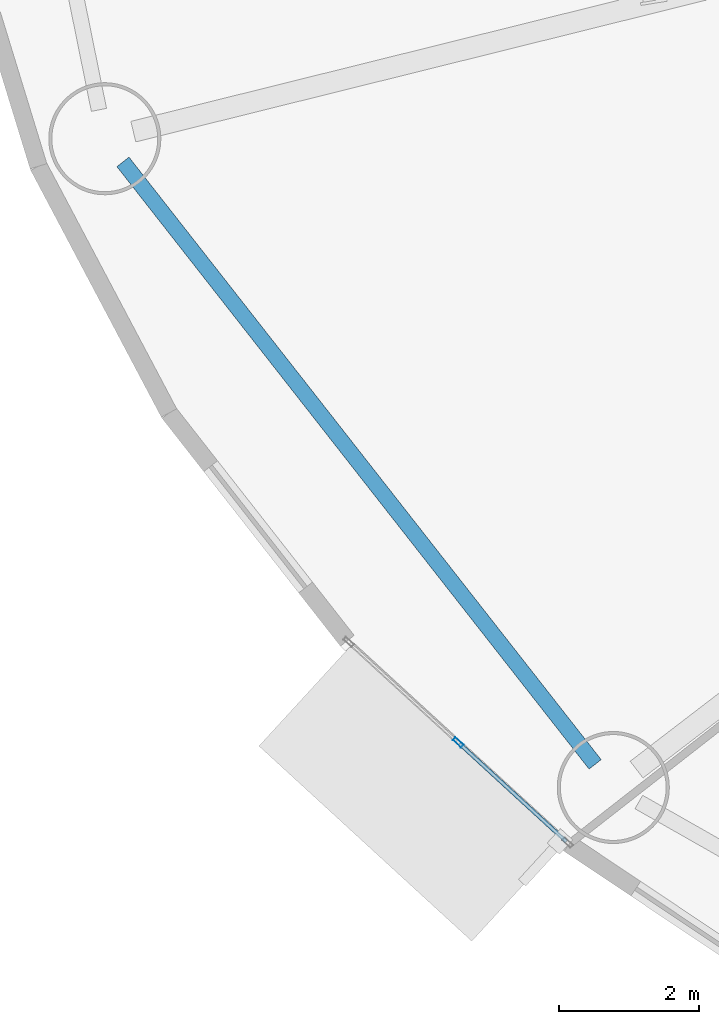
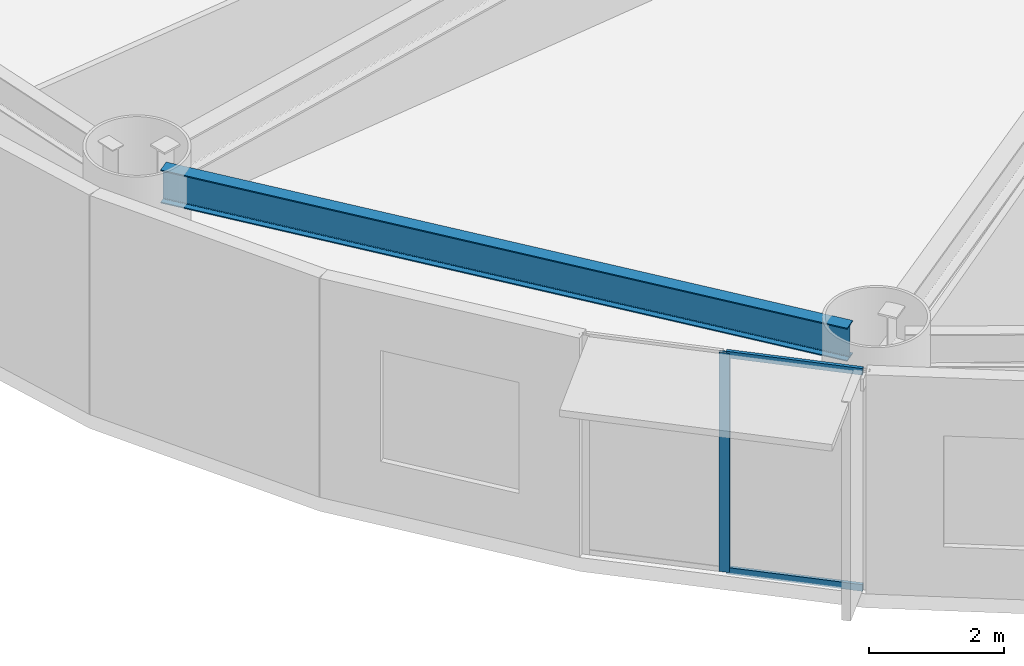
# One storey, part 5 of 35: 3 members, 1 beam, 1 element without a shape of its own.
"""IFC4 building model written with IfcOpenShell, lengths in metres."""

from ifc_helpers import new_model, si_unit, direction, frame, origin, origin_2d, place, context, subcontext, project, spatial, hollow_rectangle, i_section, extrude, source, transform, mapped, material, layer, layer_set, material_profile, profile_set, type_object, element, aggregate, save


model = new_model("IFC4")

# Units and contexts
model_context = context("Model", 3, precision=1e-05, world=origin(), true_north=direction((0.0, 1.0)))
body_context = subcontext(model_context, "Body", "Model", "MODEL_VIEW")
ifc_project = project(units=[si_unit("LENGTHUNIT", "METRE"), si_unit("AREAUNIT", "SQUARE_METRE"), si_unit("VOLUMEUNIT", "CUBIC_METRE"), si_unit("PLANEANGLEUNIT", "RADIAN"), si_unit("MASSUNIT", "GRAM", prefix="KILO")], contexts=[model_context])

# Site, building, storey
site_placement = place(None, origin())
site = spatial("IfcSite", under=ifc_project, at=site_placement, CompositionType="ELEMENT")
building_placement = place(site_placement, origin())
building = spatial("IfcBuilding", under=site, at=building_placement, Name="Linh Dai School and Residence Tower", CompositionType="ELEMENT")
storey_placement = place(building_placement, frame((0.0, 0.0, 49.199951171875)))
storey = spatial("IfcBuildingStorey", under=building, at=storey_placement, Name="L11", CompositionType="ELEMENT", Elevation=49.199951171875)

# Beam
ifc_material_1 = material(Name="Structural Steel S355JR", Category="steel")
ifc_material_profile_1 = material_profile(ifc_material_1, i_section(OverallWidth=0.219970703125, OverallDepth=0.60009765625, WebThickness=0.011962890625, FlangeThickness=0.01904296875, FilletRadius=0.02392578125, at=origin_2d()), Name="IPE 600")
ifc_profile_set_1 = profile_set([ifc_material_profile_1], Name="Structural Steel S355JR")
beam_type = type_object("IfcBeamType", Name="BM-RB60", PredefinedType="BEAM", material=ifc_profile_set_1)
beam_placement = place(storey_placement, frame((7.648193359375, 19.560791015625, 3.650146484375), z_axis=(0.616878670407, -0.787058260866, 0.0), x_axis=(0.787058260866, 0.616878670407, 0.0)))
element("IfcBeam", 1, at=beam_placement, inside=storey, type_object=beam_type, Name="L11 Perimeter Elliptical Ring Beam 10", PredefinedType="BEAM", context=body_context, shape_type="SweptSolid", body=[
    extrude(i_section(OverallWidth=0.219970703125, OverallDepth=0.60009765625, WebThickness=0.011962890625, FlangeThickness=0.01904296875, FilletRadius=0.02392578125, at=origin_2d()), origin(), (0.0, 0.0, 1.0), 10.926025390625),
])

# Curtain wall, members
ifc_material_2 = material(Name="Aluminium Anodised Curtain Wall", Category="aluminium")
ifc_layer = layer(ifc_material_2, 0.159912109375)
ifc_layer_set = layer_set([ifc_layer], Name="Aluminium Anodised Curtain Wall")
curtain_wall_type = type_object("IfcCurtainWallType", Name="CW-SYS-3", PredefinedType="USERDEFINED", material=ifc_layer_set)
curtain_wall_placement = place(storey_placement, origin())
curtain_wall = element("IfcCurtainWall", 2, at=curtain_wall_placement, inside=storey, type_object=curtain_wall_type, Name="L11 CW3 Curtain Wall 25", ObjectType="RIBBON CURTAIN WALL", PredefinedType="USERDEFINED")
ifc_material_3 = material(Name="Aluminium Alloy 6063-T6", Category="aluminium")
ifc_material_profile_2 = material_profile(ifc_material_3, hollow_rectangle(XDim=0.054931640625, YDim=0.1201171875, WallThickness=0.00390625, at=origin_2d()), Name="RHS 120x55x4")
ifc_profile_set_2 = profile_set([ifc_material_profile_2], Name="Aluminium Alloy 6063-T6")
member_type_1 = type_object("IfcMemberType", Name="CW-SYS-3-TRN", PredefinedType="USERDEFINED", material=ifc_profile_set_2)
shared_shape_1 = source(origin(), body_context, "Body", "SweptSolid", [
    extrude(hollow_rectangle(XDim=0.054931640625, YDim=0.1201171875, WallThickness=0.00390625, at=origin_2d()), origin(), (0.0, 0.0, 1.0), 2.064453125),
])
member_1_placement = place(storey_placement, frame((13.974853515625, 9.861083984375, 0.027587890625), z_axis=(-0.737129594686, 0.675751404466, 0.0), x_axis=(-0.675751404466, -0.737129594686, 0.0)))
member_1 = element("IfcMember", 3, at=member_1_placement, type_object=member_type_1, Name="CW3 transom 1.1", ObjectType="TRANSOM", PredefinedType="USERDEFINED", context=body_context, shape_type="MappedRepresentation", body=[
    mapped(shared_shape_1, transform((0.0, 0.0, 0.0), x_axis=(1.0, 0.0, 0.0), y_axis=(0.0, 1.0, 0.0), z_axis=(0.0, 0.0, 1.0), scale=1.0)),
])
member_2_placement = place(storey_placement, frame((13.974853515625, 9.861083984375, 3.922607421875), z_axis=(-0.737129594686, 0.675751404466, 0.0), x_axis=(-0.675751404466, -0.737129594686, 0.0)))
member_2 = element("IfcMember", 4, at=member_2_placement, type_object=member_type_1, Name="CW3 transom 1.2", ObjectType="TRANSOM", PredefinedType="USERDEFINED", context=body_context, shape_type="MappedRepresentation", body=[
    mapped(shared_shape_1, transform((0.0, 0.0, 0.0), x_axis=(1.0, 0.0, 0.0), y_axis=(0.0, 1.0, 0.0), z_axis=(0.0, 0.0, 1.0), scale=1.0)),
])
ifc_material_profile_3 = material_profile(ifc_material_3, hollow_rectangle(XDim=0.054931640625, YDim=0.159912109375, WallThickness=0.00390625, at=origin_2d()), Name="RHS 160x55x4")
ifc_profile_set_3 = profile_set([ifc_material_profile_3], Name="Aluminium Alloy 6063-T6")
member_type_2 = type_object("IfcMemberType", Name="CW-SYS-3-MUL", PredefinedType="MULLION", material=ifc_profile_set_3)
shared_shape_2 = source(origin(), body_context, "Body", "SweptSolid", [
    extrude(hollow_rectangle(XDim=0.054931640625, YDim=0.159912109375, WallThickness=0.00390625, at=origin_2d()), origin(), (0.0, 0.0, 1.0), 3.949951171875),
])
member_3_placement = place(storey_placement, frame((12.432861328125, 11.274658203125, 0.0), z_axis=(0.0, 0.0, 1.0), x_axis=(-0.675769237268, -0.737113246362, 0.0)))
member_3 = element("IfcMember", 5, at=member_3_placement, type_object=member_type_2, Name="CW3 mullion 2", PredefinedType="MULLION", context=body_context, shape_type="MappedRepresentation", body=[
    mapped(shared_shape_2, transform((0.0, 0.0, 0.0), x_axis=(1.0, 0.0, 0.0), y_axis=(0.0, 1.0, 0.0), z_axis=(0.0, 0.0, 1.0), scale=1.0)),
])
aggregate(curtain_wall, [member_3, member_1, member_2])

save(model, "model.ifc")
